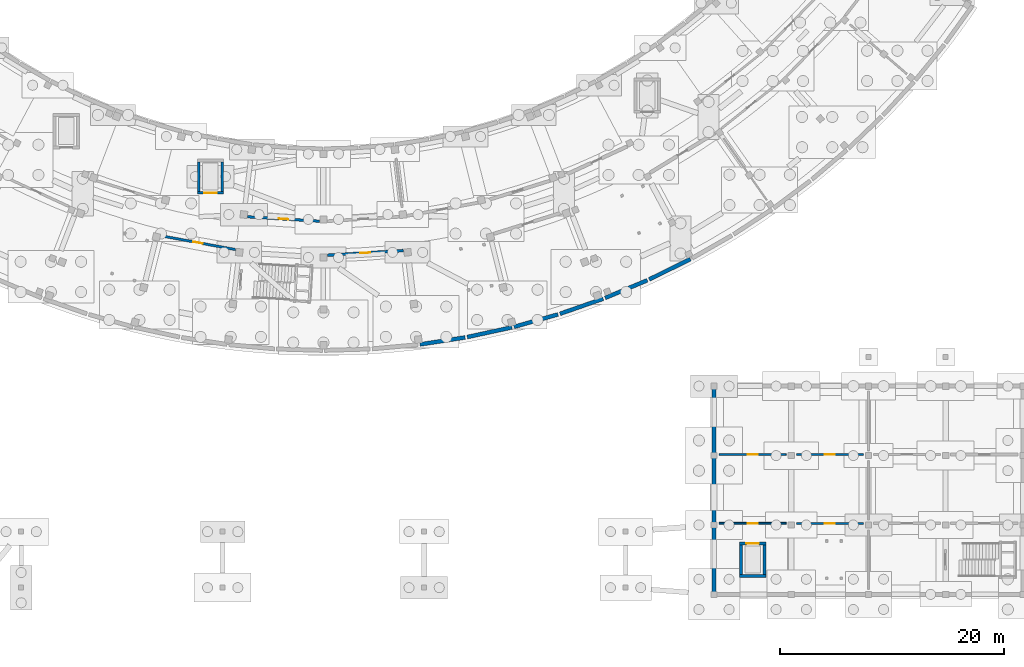
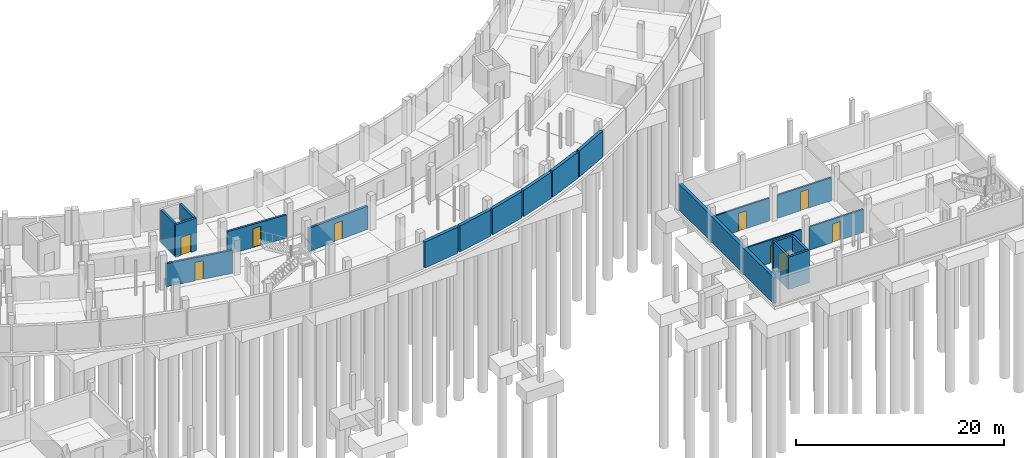
# One storey, part 41 of 58: 21 walls, 9 doors, 9 openings.
"""IFC4 building model written with IfcOpenShell, lengths in metres."""

from ifc_helpers import new_model, si_unit, direction, frame, frame_2d, origin, place, context, subcontext, project, spatial, rectangle, extrude, material, layer, layer_set, type_object, element, fill, save


model = new_model("IFC4")

# Units and contexts
model_context = context("Model", 3, precision=1e-05, world=origin(), true_north=direction((0.0, 1.0)))
body_context = subcontext(model_context, "Body", "Model", "MODEL_VIEW")
ifc_project = project(units=[si_unit("LENGTHUNIT", "METRE"), si_unit("AREAUNIT", "SQUARE_METRE"), si_unit("VOLUMEUNIT", "CUBIC_METRE"), si_unit("PLANEANGLEUNIT", "RADIAN"), si_unit("MASSUNIT", "GRAM", prefix="KILO")], contexts=[model_context])

# Site, building, storey
site_placement = place(None, origin())
site = spatial("IfcSite", under=ifc_project, at=site_placement, CompositionType="ELEMENT")
building_placement = place(site_placement, origin())
building = spatial("IfcBuilding", under=site, at=building_placement, Name="Caldaven Crescent School", CompositionType="ELEMENT")
storey_placement = place(building_placement, frame((0.0, 0.0, -4.080078125)))
storey = spatial("IfcBuildingStorey", under=building, at=storey_placement, Name="B1", CompositionType="ELEMENT", Elevation=-4.080078125)

# Wall, opening, door
ifc_material_1 = material(Name="Concrete C35/45", Category="concrete")
ifc_layer_1 = layer(ifc_material_1, 0.300048828125)
ifc_layer_set_1 = layer_set([ifc_layer_1], Name="Concrete C35/45")
wall_type_1 = type_object("IfcWallType", Name="WAL-CW1", PredefinedType="SHEAR", material=ifc_layer_set_1)
wall_1_placement = place(storey_placement, frame((125.175048828125, 8.75, 0.0), z_axis=(0.0, 0.0, 1.0), x_axis=(1.0, 0.0, 0.0)))
wall_1 = element("IfcWall", 1, at=wall_1_placement, inside=storey, type_object=wall_type_1, Name="CW-LF3-B1-N", PredefinedType="SHEAR", context=body_context, shape_type="SweptSolid", body=[
    extrude(rectangle(XDim=2.349853515625, YDim=0.25, at=frame_2d((1.1748046875, 0.0))), origin(), (0.0, 0.0, 1.0), 3.820068359375),
])
opening_1_placement = place(wall_1_placement, frame((0.625, 0.0, 0.0)))
opening_1 = element("IfcOpeningElement", 2, at=opening_1_placement, cuts=wall_1, Name="Opening LD-LF3-B1", PredefinedType="OPENING", context=body_context, shape_type="SweptSolid", body=[
    extrude(rectangle(XDim=1.10009765625, YDim=2.14990234375, at=frame_2d((0.550048828125, 1.074951171875))), frame((0.0, 0.135009765625, 0.0), z_axis=(0.0, -1.0, 0.0), x_axis=(1.0, 0.0, 0.0)), (0.0, 0.0, 1.0), 0.27001953125),
])
ifc_material_2 = material(Name="Brushed stainless-steel automatic telescopic landing door", Category="steel")
door_type_1 = type_object("IfcDoorType", Name="DOR-LD01", OperationType="DOUBLE_DOOR_SLIDING", PredefinedType="DOOR", material=ifc_material_2)
door_1_placement = place(opening_1_placement, origin())
door_1 = element("IfcDoor", 3, at=door_1_placement, inside=storey, type_object=door_type_1, Name="DOR-LD-LF3-B1", OperationType="DOUBLE_DOOR_SLIDING", OverallHeight=2.14990234375, OverallWidth=1.10009765625, PredefinedType="DOOR", context=body_context, shape_type="SweptSolid", body=[
    extrude(rectangle(XDim=1.10009765625, YDim=2.14990234375, at=frame_2d((0.550048828125, 1.074951171875))), frame((0.0, 0.02490234375, 0.0), z_axis=(0.0, -1.0, 0.0), x_axis=(1.0, 0.0, 0.0)), (0.0, 0.0, 1.0), 0.050048828125),
])
fill(opening_1, door_1)

# Wall
wall_2_placement = place(storey_placement, frame((125.175048828125, 5.85009765625, 0.0), z_axis=(0.0, 0.0, 1.0), x_axis=(1.0, 0.0, 0.0)))
element("IfcWall", 4, at=wall_2_placement, inside=storey, type_object=wall_type_1, Name="CW-LF3-B1-S", PredefinedType="SHEAR", context=body_context, shape_type="SweptSolid", body=[
    extrude(rectangle(XDim=2.349853515625, YDim=0.25, at=frame_2d((1.1748046875, 0.0))), origin(), (0.0, 0.0, 1.0), 3.820068359375),
])

# Wall, opening, door
wall_3_placement = place(storey_placement, frame((76.729248046875, 40.07763671875, 0.0), z_axis=(0.0, 0.0, 1.0), x_axis=(1.0, 0.0, 0.0)))
wall_3 = element("IfcWall", 5, at=wall_3_placement, inside=storey, type_object=wall_type_1, Name="CW-LF5-B1-S", PredefinedType="SHEAR", context=body_context, shape_type="SweptSolid", body=[
    extrude(rectangle(XDim=2.349853515625, YDim=0.25, at=frame_2d((1.1748046875, 0.0))), origin(), (0.0, 0.0, 1.0), 3.820068359375),
])
opening_2_placement = place(wall_3_placement, frame((0.625, 0.0, 0.0)))
opening_2 = element("IfcOpeningElement", 6, at=opening_2_placement, cuts=wall_3, Name="Opening LD-LF5-B1", PredefinedType="OPENING", context=body_context, shape_type="SweptSolid", body=[
    extrude(rectangle(XDim=1.10009765625, YDim=2.14990234375, at=frame_2d((0.550048828125, 1.074951171875))), frame((0.0, 0.135009765625, 0.0), z_axis=(0.0, -1.0, 0.0), x_axis=(1.0, 0.0, 0.0)), (0.0, 0.0, 1.0), 0.27001953125),
])
door_2_placement = place(opening_2_placement, origin())
door_2 = element("IfcDoor", 7, at=door_2_placement, inside=storey, type_object=door_type_1, Name="DOR-LD-LF5-B1", OperationType="DOUBLE_DOOR_SLIDING", OverallHeight=2.14990234375, OverallWidth=1.10009765625, PredefinedType="DOOR", context=body_context, shape_type="SweptSolid", body=[
    extrude(rectangle(XDim=1.10009765625, YDim=2.14990234375, at=frame_2d((0.550048828125, 1.074951171875))), frame((0.0, 0.02490234375, 0.0), z_axis=(0.0, -1.0, 0.0), x_axis=(1.0, 0.0, 0.0)), (0.0, 0.0, 1.0), 0.050048828125),
])
fill(opening_2, door_2)

# Walls
ifc_layer_2 = layer(ifc_material_1, 0.25)
ifc_layer_set_2 = layer_set([ifc_layer_2], Name="Concrete C35/45")
wall_type_2 = type_object("IfcWallType", Name="WAL-CW2", PredefinedType="SHEAR", material=ifc_layer_set_2)
for number, where, z_axis, x_axis, name in (
    (8, (125.300048828125, 5.97509765625, 0.0), (0.0, 0.0, 1.0), (0.0, 1.0, 0.0), "CW-LF3-B1-W"),
    (9, (127.39990234375, 5.97509765625, 0.0), (0.0, 0.0, 1.0), (0.0, 1.0, 0.0), "CW-LF3-B1-E"),
):
    element("IfcWall", number, at=place(storey_placement, frame(where, z_axis=z_axis, x_axis=x_axis)), inside=storey, type_object=wall_type_2, Name=name, PredefinedType="SHEAR", context=body_context, shape_type="SweptSolid", body=[
        extrude(rectangle(XDim=2.64990234375, YDim=0.25, at=frame_2d((1.324951171875, 0.0))), origin(), (0.0, 0.0, 1.0), 3.820068359375),
    ])
for number, where, z_axis, x_axis, name in (
    (10, (76.854248046875, 40.20263671875, 0.0), (0.0, 0.0, 1.0), (0.0, 1.0, 0.0), "CW-LF5-B1-W"),
    (11, (78.9541015625, 40.20263671875, 0.0), (0.0, 0.0, 1.0), (0.0, 1.0, 0.0), "CW-LF5-B1-E"),
):
    element("IfcWall", number, at=place(storey_placement, frame(where, z_axis=z_axis, x_axis=x_axis)), inside=storey, type_object=wall_type_2, Name=name, PredefinedType="SHEAR", context=body_context, shape_type="SweptSolid", body=[
        extrude(rectangle(XDim=2.650146484375, YDim=0.25, at=frame_2d((1.3251953125, 0.0))), origin(), (0.0, 0.0, 1.0), 3.820068359375),
    ])

# Wall, opening, door
ifc_material_3 = material(Name="Acoustic timber-stud and fire-rated gypsum board assembly", Category="wood")
ifc_layer_3 = layer(ifc_material_3, 0.159912109375)
ifc_layer_set_3 = layer_set([ifc_layer_3], Name="Acoustic timber-stud and fire-rated gypsum board assembly")
wall_type_3 = type_object("IfcWallType", Name="WAL-IW01", PredefinedType="STANDARD", material=ifc_layer_set_3)
wall_4_placement = place(storey_placement, frame((123.35009765625, 10.550048828125, 0.0), z_axis=(0.0, 0.0, 1.0), x_axis=(1.0, 0.0, 0.0)))
wall_4 = element("IfcWall", 12, at=wall_4_placement, inside=storey, type_object=wall_type_3, Name="IW-B1-0064", PredefinedType="STANDARD", context=body_context, shape_type="SweptSolid", body=[
    extrude(rectangle(XDim=6.0, YDim=0.159912109375, at=frame_2d((3.0, 0.0))), origin(), (0.0, 0.0, 1.0), 2.719970703125),
])
opening_3_placement = place(wall_4_placement, frame((2.550048828125, 0.0, 0.0)))
opening_3 = element("IfcOpeningElement", 13, at=opening_3_placement, cuts=wall_4, Name="Opening D-B1-I044", PredefinedType="OPENING", context=body_context, shape_type="SweptSolid", body=[
    extrude(rectangle(XDim=0.89990234375, YDim=2.06005859375, at=frame_2d((0.449951171875, 1.030029296875))), frame((0.0, 0.08984375, 0.0), z_axis=(0.0, -1.0, 0.0), x_axis=(1.0, 0.0, 0.0)), (0.0, 0.0, 1.0), 0.179931640625),
])
ifc_material_4 = material(Name="Solid-core Pino Radiata acoustic timber leaf in steel frame", Category="steel")
door_type_2 = type_object("IfcDoorType", Name="DOR-ID05", OperationType="NOTDEFINED", PredefinedType="DOOR", material=ifc_material_4)
door_3_placement = place(opening_3_placement, origin())
door_3 = element("IfcDoor", 14, at=door_3_placement, inside=storey, type_object=door_type_2, Name="DOR-INT-B1-0044", OperationType="SINGLE_SWING_LEFT", OverallHeight=2.06005859375, OverallWidth=0.89990234375, PredefinedType="DOOR", context=body_context, shape_type="SweptSolid", body=[
    extrude(rectangle(XDim=0.89990234375, YDim=2.06005859375, at=frame_2d((0.449951171875, 1.030029296875))), frame((0.0, 0.02490234375, 0.0), z_axis=(0.0, -1.0, 0.0), x_axis=(1.0, 0.0, 0.0)), (0.0, 0.0, 1.0), 0.050048828125),
])
fill(opening_3, door_3)

ifc_layer_4 = layer(ifc_material_3, 0.169921875)
ifc_layer_set_4 = layer_set([ifc_layer_4], Name="Acoustic timber-stud and fire-rated gypsum board assembly")
wall_type_4 = type_object("IfcWallType", Name="WAL-IW02", PredefinedType="STANDARD", material=ifc_layer_set_4)
wall_5_placement = place(storey_placement, frame((123.35009765625, 16.699951171875, 0.0), z_axis=(0.0, 0.0, 1.0), x_axis=(1.0, 0.0, 0.0)))
wall_5 = element("IfcWall", 15, at=wall_5_placement, inside=storey, type_object=wall_type_4, Name="IW-B1-0065", PredefinedType="STANDARD", context=body_context, shape_type="SweptSolid", body=[
    extrude(rectangle(XDim=6.0, YDim=0.169921875, at=frame_2d((3.0, 0.0))), origin(), (0.0, 0.0, 1.0), 2.719970703125),
])
opening_4_placement = place(wall_5_placement, frame((2.550048828125, 0.0, 0.0)))
opening_4 = element("IfcOpeningElement", 16, at=opening_4_placement, cuts=wall_5, Name="Opening D-B1-I045", PredefinedType="OPENING", context=body_context, shape_type="SweptSolid", body=[
    extrude(rectangle(XDim=0.89990234375, YDim=2.1201171875, at=frame_2d((0.449951171875, 1.06005859375))), frame((0.0, 0.094970703125, 0.0), z_axis=(0.0, -1.0, 0.0), x_axis=(1.0, 0.0, 0.0)), (0.0, 0.0, 1.0), 0.18994140625),
])
door_type_3 = type_object("IfcDoorType", Name="DOR-ID06", OperationType="NOTDEFINED", PredefinedType="DOOR", material=ifc_material_4)
door_4_placement = place(opening_4_placement, frame((0.89990234375, 0.0, 0.0), z_axis=(0.0, 0.0, 1.0), x_axis=(-1.0, 0.0, 0.0)))
door_4 = element("IfcDoor", 17, at=door_4_placement, inside=storey, type_object=door_type_3, Name="DOR-INT-B1-0045", OperationType="SINGLE_SWING_RIGHT", OverallHeight=2.1201171875, OverallWidth=0.89990234375, PredefinedType="DOOR", context=body_context, shape_type="SweptSolid", body=[
    extrude(rectangle(XDim=0.89990234375, YDim=2.1201171875, at=frame_2d((0.449951171875, 1.06005859375))), frame((0.0, 0.02490234375, 0.0), z_axis=(0.0, -1.0, 0.0), x_axis=(1.0, 0.0, 0.0)), (0.0, 0.0, 1.0), 0.050048828125),
])
fill(opening_4, door_4)

ifc_layer_5 = layer(ifc_material_3, 0.179931640625)
ifc_layer_set_5 = layer_set([ifc_layer_5], Name="Acoustic timber-stud and fire-rated gypsum board assembly")
wall_type_5 = type_object("IfcWallType", Name="WAL-IW03", PredefinedType="STANDARD", material=ifc_layer_set_5)
wall_6_placement = place(storey_placement, frame((130.25, 10.550048828125, 0.0), z_axis=(0.0, 0.0, 1.0), x_axis=(1.0, 0.0, 0.0)))
wall_6 = element("IfcWall", 18, at=wall_6_placement, inside=storey, type_object=wall_type_5, Name="IW-B1-0066", PredefinedType="STANDARD", context=body_context, shape_type="SweptSolid", body=[
    extrude(rectangle(XDim=6.0, YDim=0.179931640625, at=frame_2d((3.0, 0.0))), origin(), (0.0, 0.0, 1.0), 2.719970703125),
])
opening_5_placement = place(wall_6_placement, frame((2.550048828125, 0.0, 0.0)))
opening_5 = element("IfcOpeningElement", 19, at=opening_5_placement, cuts=wall_6, Name="Opening D-B1-I046", PredefinedType="OPENING", context=body_context, shape_type="SweptSolid", body=[
    extrude(rectangle(XDim=0.89990234375, YDim=2.179931640625, at=frame_2d((0.449951171875, 1.08984375))), frame((0.0, 0.099853515625, 0.0), z_axis=(0.0, -1.0, 0.0), x_axis=(1.0, 0.0, 0.0)), (0.0, 0.0, 1.0), 0.199951171875),
])
door_type_4 = type_object("IfcDoorType", Name="DOR-ID07", OperationType="NOTDEFINED", PredefinedType="DOOR", material=ifc_material_4)
door_5_placement = place(opening_5_placement, origin())
door_5 = element("IfcDoor", 20, at=door_5_placement, inside=storey, type_object=door_type_4, Name="DOR-INT-B1-0046", OperationType="SINGLE_SWING_LEFT", OverallHeight=2.179931640625, OverallWidth=0.89990234375, PredefinedType="DOOR", context=body_context, shape_type="SweptSolid", body=[
    extrude(rectangle(XDim=0.89990234375, YDim=2.179931640625, at=frame_2d((0.449951171875, 1.08984375))), frame((0.0, 0.02490234375, 0.0), z_axis=(0.0, -1.0, 0.0), x_axis=(1.0, 0.0, 0.0)), (0.0, 0.0, 1.0), 0.050048828125),
])
fill(opening_5, door_5)

ifc_layer_6 = layer(ifc_material_3, 0.18994140625)
ifc_layer_set_6 = layer_set([ifc_layer_6], Name="Acoustic timber-stud and fire-rated gypsum board assembly")
wall_type_6 = type_object("IfcWallType", Name="WAL-IW04", PredefinedType="STANDARD", material=ifc_layer_set_6)
wall_7_placement = place(storey_placement, frame((130.25, 16.699951171875, 0.0), z_axis=(0.0, 0.0, 1.0), x_axis=(1.0, 0.0, 0.0)))
wall_7 = element("IfcWall", 21, at=wall_7_placement, inside=storey, type_object=wall_type_6, Name="IW-B1-0067", PredefinedType="STANDARD", context=body_context, shape_type="SweptSolid", body=[
    extrude(rectangle(XDim=6.0, YDim=0.18994140625, at=frame_2d((3.0, 0.0))), origin(), (0.0, 0.0, 1.0), 2.719970703125),
])
opening_6_placement = place(wall_7_placement, frame((2.550048828125, 0.0, 0.0)))
opening_6 = element("IfcOpeningElement", 22, at=opening_6_placement, cuts=wall_7, Name="Opening D-B1-I047", PredefinedType="OPENING", context=body_context, shape_type="SweptSolid", body=[
    extrude(rectangle(XDim=0.89990234375, YDim=2.239990234375, at=frame_2d((0.449951171875, 1.1201171875))), frame((0.0, 0.10498046875, 0.0), z_axis=(0.0, -1.0, 0.0), x_axis=(1.0, 0.0, 0.0)), (0.0, 0.0, 1.0), 0.2099609375),
])
door_type_5 = type_object("IfcDoorType", Name="DOR-ID08", OperationType="NOTDEFINED", PredefinedType="DOOR", material=ifc_material_4)
door_6_placement = place(opening_6_placement, frame((0.89990234375, 0.0, 0.0), z_axis=(0.0, 0.0, 1.0), x_axis=(-1.0, 0.0, 0.0)))
door_6 = element("IfcDoor", 23, at=door_6_placement, inside=storey, type_object=door_type_5, Name="DOR-INT-B1-0047", OperationType="SINGLE_SWING_RIGHT", OverallHeight=2.239990234375, OverallWidth=0.89990234375, PredefinedType="DOOR", context=body_context, shape_type="SweptSolid", body=[
    extrude(rectangle(XDim=0.89990234375, YDim=2.239990234375, at=frame_2d((0.449951171875, 1.1201171875))), frame((0.0, 0.02490234375, 0.0), z_axis=(0.0, -1.0, 0.0), x_axis=(1.0, 0.0, 0.0)), (0.0, 0.0, 1.0), 0.050048828125),
])
fill(opening_6, door_6)

ifc_layer_7 = layer(ifc_material_3, 0.219970703125)
ifc_layer_set_7 = layer_set([ifc_layer_7], Name="Acoustic timber-stud and fire-rated gypsum board assembly")
wall_type_7 = type_object("IfcWallType", Name="WAL-IW07", PredefinedType="STANDARD", material=ifc_layer_set_7)
wall_8_placement = place(storey_placement, frame((73.470947265625, 36.24169921875, 0.0), z_axis=(0.0, 0.0, 1.0), x_axis=(0.983257442509, -0.182221847619, 0.0)))
wall_8 = element("IfcWall", 24, at=wall_8_placement, inside=storey, type_object=wall_type_7, Name="IW-B1-0150", PredefinedType="STANDARD", context=body_context, shape_type="SweptSolid", body=[
    extrude(rectangle(XDim=6.79150390625, YDim=0.219970703125, at=frame_2d((3.395751953125, 0.0))), origin(), (0.0, 0.0, 1.0), 2.719970703125),
])
opening_7_placement = place(wall_8_placement, frame((2.9658203125, 0.0, 0.0)))
opening_7 = element("IfcOpeningElement", 25, at=opening_7_placement, cuts=wall_8, Name="Opening D-B1-I102", PredefinedType="OPENING", context=body_context, shape_type="SweptSolid", body=[
    extrude(rectangle(XDim=0.860107421875, YDim=2.179931640625, at=frame_2d((0.43017578125, 1.08984375))), frame((0.0, 0.119873046875, 0.0), z_axis=(0.0, -1.0, 0.0), x_axis=(1.0, 0.0, 0.0)), (0.0, 0.0, 1.0), 0.239990234375),
])
door_type_6 = type_object("IfcDoorType", Name="DOR-ID03", OperationType="NOTDEFINED", PredefinedType="DOOR", material=ifc_material_4)
door_7_placement = place(opening_7_placement, origin())
door_7 = element("IfcDoor", 26, at=door_7_placement, inside=storey, type_object=door_type_6, Name="DOR-INT-B1-0102", OperationType="SINGLE_SWING_LEFT", OverallHeight=2.179931640625, OverallWidth=0.860107421875, PredefinedType="DOOR", context=body_context, shape_type="SweptSolid", body=[
    extrude(rectangle(XDim=0.860107421875, YDim=2.179931640625, at=frame_2d((0.43017578125, 1.08984375))), frame((0.0, 0.02490234375, 0.0), z_axis=(0.0, -1.0, 0.0), x_axis=(1.0, 0.0, 0.0)), (0.0, 0.0, 1.0), 0.050048828125),
])
fill(opening_7, door_7)

ifc_layer_8 = layer(ifc_material_3, 0.22998046875)
ifc_layer_set_8 = layer_set([ifc_layer_8], Name="Acoustic timber-stud and fire-rated gypsum board assembly")
wall_type_8 = type_object("IfcWallType", Name="WAL-IW08", PredefinedType="STANDARD", material=ifc_layer_set_8)
wall_9_placement = place(storey_placement, frame((81.232421875, 37.933837890625, 0.0), z_axis=(0.0, 0.0, 1.0), x_axis=(0.998135716959, -0.061033519724, 0.0)))
wall_9 = element("IfcWall", 27, at=wall_9_placement, inside=storey, type_object=wall_type_8, Name="IW-B1-0151", PredefinedType="STANDARD", context=body_context, shape_type="SweptSolid", body=[
    extrude(rectangle(XDim=6.420166015625, YDim=0.22998046875, at=frame_2d((3.2099609375, 0.0))), origin(), (0.0, 0.0, 1.0), 2.719970703125),
])
opening_8_placement = place(wall_9_placement, frame((2.780029296875, 0.0, 0.0)))
opening_8 = element("IfcOpeningElement", 28, at=opening_8_placement, cuts=wall_9, Name="Opening D-B1-I103", PredefinedType="OPENING", context=body_context, shape_type="SweptSolid", body=[
    extrude(rectangle(XDim=0.860107421875, YDim=2.239990234375, at=frame_2d((0.43017578125, 1.1201171875))), frame((0.0, 0.125, 0.0), z_axis=(0.0, -1.0, 0.0), x_axis=(1.0, 0.0, 0.0)), (0.0, 0.0, 1.0), 0.25),
])
door_type_7 = type_object("IfcDoorType", Name="DOR-ID04", OperationType="NOTDEFINED", PredefinedType="DOOR", material=ifc_material_4)
door_8_placement = place(opening_8_placement, frame((0.860107421875, 0.0, 0.0), z_axis=(0.0, 0.0, 1.0), x_axis=(-1.0, 0.0, 0.0)))
door_8 = element("IfcDoor", 29, at=door_8_placement, inside=storey, type_object=door_type_7, Name="DOR-INT-B1-0103", OperationType="SINGLE_SWING_RIGHT", OverallHeight=2.239990234375, OverallWidth=0.860107421875, PredefinedType="DOOR", context=body_context, shape_type="SweptSolid", body=[
    extrude(rectangle(XDim=0.860107421875, YDim=2.239990234375, at=frame_2d((0.43017578125, 1.1201171875))), frame((0.0, 0.02490234375, 0.0), z_axis=(0.0, -1.0, 0.0), x_axis=(1.0, 0.0, 0.0)), (0.0, 0.0, 1.0), 0.050048828125),
])
fill(opening_8, door_8)

ifc_layer_9 = layer(ifc_material_3, 0.25)
ifc_layer_set_9 = layer_set([ifc_layer_9], Name="Acoustic timber-stud and fire-rated gypsum board assembly")
wall_type_9 = type_object("IfcWallType", Name="WAL-IW10", PredefinedType="STANDARD", material=ifc_layer_set_9)
wall_10_placement = place(storey_placement, frame((88.359375, 34.501953125, 0.0), z_axis=(0.0, 0.0, 1.0), x_axis=(0.998135326973, 0.061039897184, 0.0)))
wall_10 = element("IfcWall", 30, at=wall_10_placement, inside=storey, type_object=wall_type_9, Name="IW-B1-0153", PredefinedType="STANDARD", context=body_context, shape_type="SweptSolid", body=[
    extrude(rectangle(XDim=6.79150390625, YDim=0.25, at=frame_2d((3.395751953125, 0.0))), origin(), (0.0, 0.0, 1.0), 2.719970703125),
])
opening_9_placement = place(wall_10_placement, frame((2.94580078125, 0.0, 0.0)))
opening_9 = element("IfcOpeningElement", 31, at=opening_9_placement, cuts=wall_10, Name="Opening D-B1-I105", PredefinedType="OPENING", context=body_context, shape_type="SweptSolid", body=[
    extrude(rectangle(XDim=0.89990234375, YDim=2.1201171875, at=frame_2d((0.449951171875, 1.06005859375))), frame((0.0, 0.135009765625, 0.0), z_axis=(0.0, -1.0, 0.0), x_axis=(1.0, 0.0, 0.0)), (0.0, 0.0, 1.0), 0.27001953125),
])
door_9_placement = place(opening_9_placement, origin())
door_9 = element("IfcDoor", 32, at=door_9_placement, inside=storey, type_object=door_type_3, Name="DOR-INT-B1-0105", OperationType="SINGLE_SWING_RIGHT", OverallHeight=2.1201171875, OverallWidth=0.89990234375, PredefinedType="DOOR", context=body_context, shape_type="SweptSolid", body=[
    extrude(rectangle(XDim=0.89990234375, YDim=2.1201171875, at=frame_2d((0.449951171875, 1.06005859375))), frame((0.0, 0.02490234375, 0.0), z_axis=(0.0, -1.0, 0.0), x_axis=(1.0, 0.0, 0.0)), (0.0, 0.0, 1.0), 0.050048828125),
])
fill(opening_9, door_9)

# Walls
ifc_material_5 = material(Name="Concrete C30/37", Category="concrete")
ifc_layer_10 = layer(ifc_material_5, 0.35009765625)
ifc_layer_set_10 = layer_set([ifc_layer_10], Name="Concrete C30/37")
wall_type_10 = type_object("IfcWallType", Name="WAL-RW1", PredefinedType="USERDEFINED", material=ifc_layer_set_10)
wall_11_placement = place(storey_placement, frame((122.89990234375, 4.375, 0.0), z_axis=(0.0, 0.0, 1.0), x_axis=(0.0, 1.0, 0.0)))
element("IfcWall", 33, at=wall_11_placement, inside=storey, type_object=wall_type_10, Name="RW-V3-B1-W", ObjectType="RETAININGWALL", PredefinedType="USERDEFINED", context=body_context, shape_type="SweptSolid", body=[
    extrude(rectangle(XDim=18.25, YDim=0.35009765625, at=frame_2d((9.125, 0.0))), origin(), (0.0, 0.0, 1.0), 3.065185546875),
])
wall_12_placement = place(storey_placement, frame((96.6279296875, 26.53369140625, 0.0), z_axis=(0.0, 0.0, 1.0), x_axis=(0.988363394791, 0.152111143038, 0.0)))
element("IfcWall", 34, at=wall_12_placement, inside=storey, type_object=wall_type_10, Name="RW-CRESC-OUT-18", ObjectType="RETAININGWALL", PredefinedType="USERDEFINED", context=body_context, shape_type="SweptSolid", body=[
    extrude(rectangle(XDim=4.079833984375, YDim=0.35009765625, at=frame_2d((2.0400390625, 0.0))), origin(), (0.0, 0.0, 1.0), 3.065185546875),
])
wall_13_placement = place(storey_placement, frame((100.8525390625, 27.18994140625, 0.0), z_axis=(0.0, 0.0, 1.0), x_axis=(0.977228720232, 0.212188662173, 0.0)))
element("IfcWall", 35, at=wall_13_placement, inside=storey, type_object=wall_type_10, Name="RW-CRESC-OUT-19", ObjectType="RETAININGWALL", PredefinedType="USERDEFINED", context=body_context, shape_type="SweptSolid", body=[
    extrude(rectangle(XDim=4.080078125, YDim=0.35009765625, at=frame_2d((2.0400390625, 0.0))), origin(), (0.0, 0.0, 1.0), 3.065185546875),
])
for number, where, z_axis, x_axis, name in (
    (36, (105.029296875, 28.10302734375, 0.0), (0.0, 0.0, 1.0), (0.962457693032, 0.271431739343, 0.0), "RW-CRESC-OUT-20"),
    (37, (109.142578125, 29.269287109375, 0.0), (0.0, 0.0, 1.0), (0.94408110525, 0.329713309877, 0.0), "RW-CRESC-OUT-21"),
    (38, (113.177001953125, 30.6845703125, 0.0), (0.0, 0.0, 1.0), (0.922208838333, 0.38669220124, 0.0), "RW-CRESC-OUT-22"),
):
    element("IfcWall", number, at=place(storey_placement, frame(where, z_axis=z_axis, x_axis=x_axis)), inside=storey, type_object=wall_type_10, Name=name, ObjectType="RETAININGWALL", PredefinedType="USERDEFINED", context=body_context, shape_type="SweptSolid", body=[
        extrude(rectangle(XDim=4.079833984375, YDim=0.35009765625, at=frame_2d((2.0400390625, 0.0))), origin(), (0.0, 0.0, 1.0), 3.065185546875),
    ])
wall_14_placement = place(storey_placement, frame((117.117431640625, 32.34326171875, 0.0), z_axis=(0.0, 0.0, 1.0), x_axis=(0.896855262405, 0.442324132619, 0.0)))
element("IfcWall", 39, at=wall_14_placement, inside=storey, type_object=wall_type_10, Name="RW-CRESC-OUT-23", ObjectType="RETAININGWALL", PredefinedType="USERDEFINED", context=body_context, shape_type="SweptSolid", body=[
    extrude(rectangle(XDim=4.080078125, YDim=0.35009765625, at=frame_2d((2.0400390625, 0.0))), origin(), (0.0, 0.0, 1.0), 3.065185546875),
])

save(model, "model.ifc")
